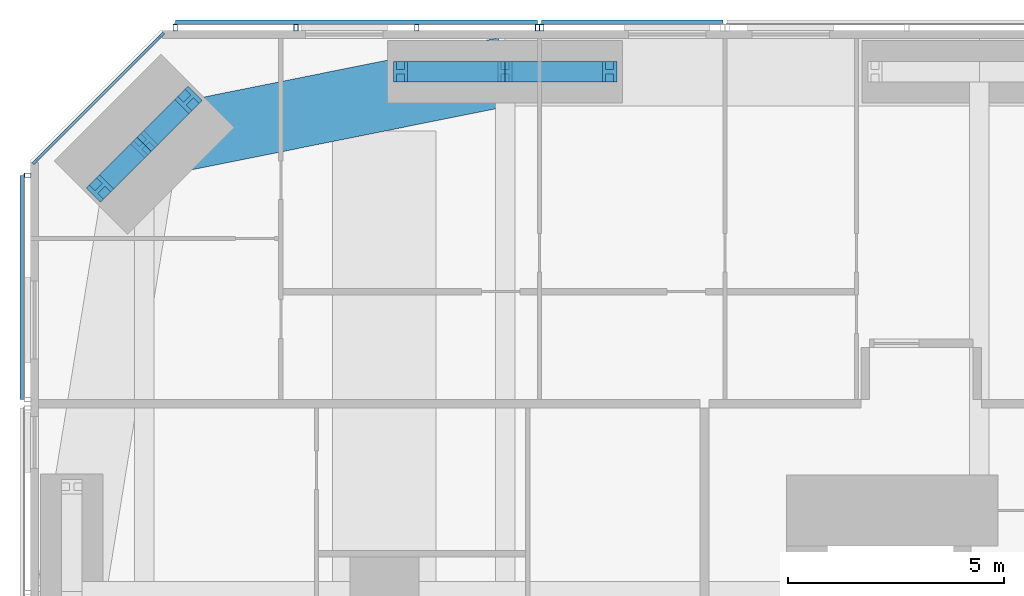
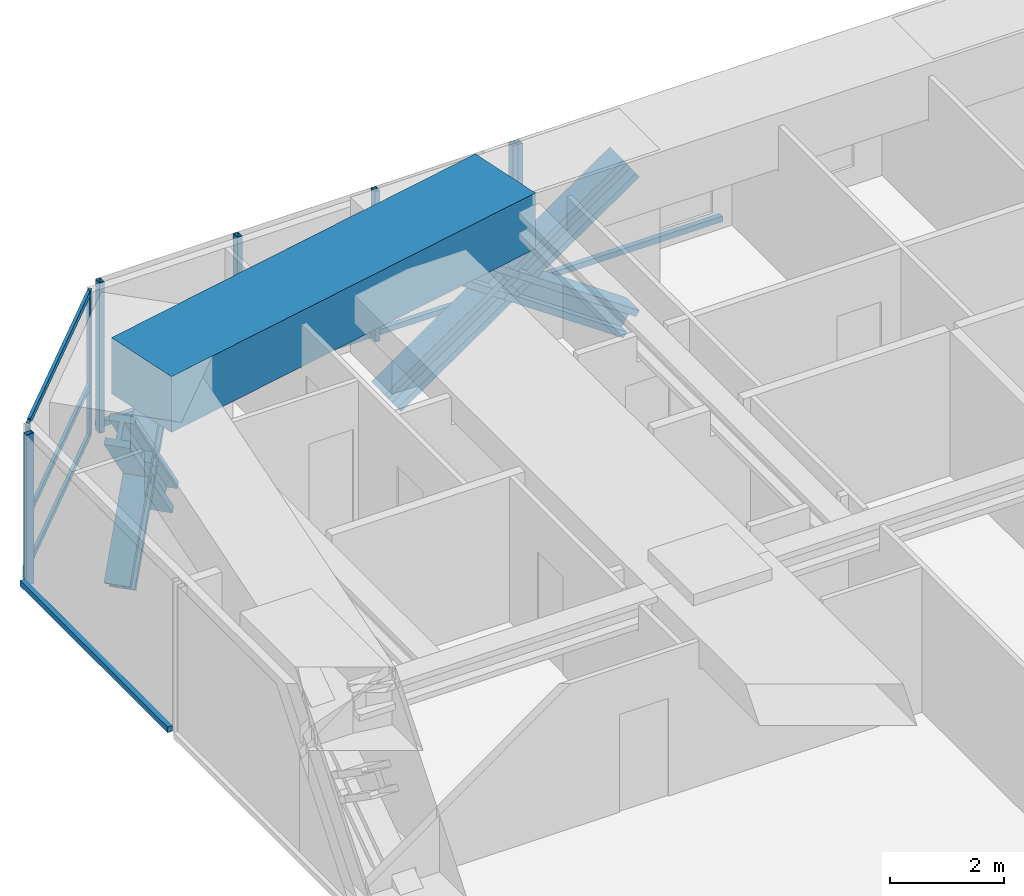
# One storey, part 11 of 23: 22 members, 1 beam, 4 elements without a shape of their own.
"""IFC4 building model written with IfcOpenShell, lengths in metres."""

from ifc_helpers import new_model, si_unit, direction, frame, origin, origin_2d, place, context, subcontext, project, spatial, rectangle, hollow_rectangle, i_section, extrude, material, material_profile, profile_set, type_object, element, aggregate, save


model = new_model("IFC4")

# Units and contexts
model_context = context("Model", 3, precision=1e-05, world=origin(), true_north=direction((0.0, 1.0)))
body_context = subcontext(model_context, "Body", "Model", "MODEL_VIEW")
ifc_project = project(units=[si_unit("LENGTHUNIT", "METRE"), si_unit("AREAUNIT", "SQUARE_METRE"), si_unit("VOLUMEUNIT", "CUBIC_METRE"), si_unit("PLANEANGLEUNIT", "RADIAN"), si_unit("MASSUNIT", "GRAM", prefix="KILO")], contexts=[model_context])

# Site, building, storey
site_placement = place(None, origin())
site = spatial("IfcSite", under=ifc_project, at=site_placement, CompositionType="ELEMENT")
building_placement = place(site_placement, origin())
building = spatial("IfcBuilding", under=site, at=building_placement, Name="Jalousie Tower", CompositionType="ELEMENT")
storey_placement = place(building_placement, frame((0.0, 0.0, 27.699951171875)))
storey = spatial("IfcBuildingStorey", under=building, at=storey_placement, Name="L06", CompositionType="ELEMENT", Elevation=27.699951171875)

# Curtain wall, members
ifc_material_1 = material(Name="Aluminium curtain wall", Category="aluminium")
curtain_wall_type_1 = type_object("IfcCurtainWallType", Name="CORNER WINDOW WALL", PredefinedType="USERDEFINED", material=ifc_material_1)
curtain_wall_1_placement = place(storey_placement, origin())
curtain_wall_1 = element("IfcCurtainWall", 1, at=curtain_wall_1_placement, inside=storey, type_object=curtain_wall_type_1, Name="Corner Window Wall L06 6", ObjectType="CORNER WINDOW WALL", PredefinedType="USERDEFINED")
ifc_material_2 = material(Name="Aluminium mullion", Category="aluminium")
ifc_material_profile_1 = material_profile(ifc_material_2, rectangle(XDim=0.06005859375, YDim=0.14990234375, at=origin_2d()), Name="MULLION 60x150")
ifc_profile_set_1 = profile_set([ifc_material_profile_1], Name="Aluminium mullion")
member_type_1 = type_object("IfcMemberType", Name="CORNER WINDOW WALL MULLION", PredefinedType="MULLION", material=ifc_profile_set_1)
member_1_placement = place(storey_placement, frame((5.030029296875, 37.891357421875, 0.0), z_axis=(0.0, 0.0, 1.0), x_axis=(0.707106781187, -0.707106781187, 0.0)))
member_1 = element("IfcMember", 2, at=member_1_placement, type_object=member_type_1, Name="CW-C mullion 1", PredefinedType="MULLION", context=body_context, shape_type="SweptSolid", body=[
    extrude(rectangle(XDim=0.06005859375, YDim=0.14990234375, at=origin_2d()), origin(), (0.0, 0.0, 1.0), 3.110107421875),
])
member_2_placement = place(storey_placement, frame((2.108642578125, 34.969970703125, 0.0), z_axis=(0.0, 0.0, 1.0), x_axis=(0.707106781187, -0.707106781187, 0.0)))
member_2 = element("IfcMember", 3, at=member_2_placement, type_object=member_type_1, Name="CW-C mullion 2", PredefinedType="MULLION", context=body_context, shape_type="SweptSolid", body=[
    extrude(rectangle(XDim=0.06005859375, YDim=0.14990234375, at=origin_2d()), origin(), (0.0, 0.0, 1.0), 3.110107421875),
])
ifc_material_3 = material(Name="Aluminium transom", Category="aluminium")
ifc_material_profile_2 = material_profile(ifc_material_3, rectangle(XDim=0.06005859375, YDim=0.1201171875, at=origin_2d()), Name="TRANSOM 60x120")
ifc_profile_set_2 = profile_set([ifc_material_profile_2], Name="Aluminium transom")
member_type_2 = type_object("IfcMemberType", Name="CORNER WINDOW WALL TRANSOM", PredefinedType="USERDEFINED", material=ifc_profile_set_2)
member_3_placement = place(storey_placement, frame((5.0087890625, 37.8701171875, 0.030029296875), z_axis=(-0.707106781187, -0.707106781187, 0.0), x_axis=(0.707106781187, -0.707106781187, 0.0)))
member_3 = element("IfcMember", 4, at=member_3_placement, type_object=member_type_2, Name="CW-C transom 1.1", ObjectType="TRANSOM", PredefinedType="USERDEFINED", context=body_context, shape_type="SweptSolid", body=[
    extrude(rectangle(XDim=0.06005859375, YDim=0.1201171875, at=origin_2d()), origin(), (0.0, 0.0, 1.0), 4.0712890625),
])
member_4_placement = place(storey_placement, frame((5.0087890625, 37.8701171875, 1.10009765625), z_axis=(-0.707106781187, -0.707106781187, 0.0), x_axis=(0.707106781187, -0.707106781187, 0.0)))
member_4 = element("IfcMember", 5, at=member_4_placement, type_object=member_type_2, Name="CW-C transom 1.2", ObjectType="TRANSOM", PredefinedType="USERDEFINED", context=body_context, shape_type="SweptSolid", body=[
    extrude(rectangle(XDim=0.06005859375, YDim=0.1201171875, at=origin_2d()), origin(), (0.0, 0.0, 1.0), 4.0712890625),
])
member_5_placement = place(storey_placement, frame((5.0087890625, 37.8701171875, 3.080078125), z_axis=(-0.707106781187, -0.707106781187, 0.0), x_axis=(0.707106781187, -0.707106781187, 0.0)))
member_5 = element("IfcMember", 6, at=member_5_placement, type_object=member_type_2, Name="CW-C transom 1.3", ObjectType="TRANSOM", PredefinedType="USERDEFINED", context=body_context, shape_type="SweptSolid", body=[
    extrude(rectangle(XDim=0.06005859375, YDim=0.1201171875, at=origin_2d()), origin(), (0.0, 0.0, 1.0), 4.0712890625),
])
aggregate(curtain_wall_1, [member_1, member_2, member_3, member_4, member_5])

# Members
ifc_material_4 = material(Name="Steel ASTM A992 Grade 50", Category="steel")
ifc_material_profile_3 = material_profile(ifc_material_4, i_section(OverallWidth=0.472412109375, OverallDepth=0.5791015625, WebThickness=0.094970703125, FlangeThickness=0.1298828125, at=origin_2d()), Name="W14X808")
ifc_profile_set_3 = profile_set([ifc_material_profile_3], Name="Steel ASTM A992 Grade 50")
member_type_3 = type_object("IfcMemberType", Name="PERIMETER BRACE W14X808", PredefinedType="BRACE", material=ifc_profile_set_3)
for number, where, z_axis, x_axis, name in (
    (7, (10.574951171875, 37.050048828125, -0.599853515625), (0.82283879777, 0.0, 0.568274856811), (0.0, 1.0, 0.0), "Perimeter brace 11 L06 part 1"),
    (8, (13.0, 37.050048828125, 1.074951171875), (0.822800062329, 0.0, 0.568330940062), (0.0, 1.0, 0.0), "Perimeter brace 11 L06 part 2"),
    (9, (15.425048828125, 37.050048828125, -0.599853515625), (-0.82283879777, 0.0, 0.568274856811), (0.0, -1.0, 0.0), "Perimeter brace 11 L06 part 3"),
    (10, (13.0, 37.050048828125, 1.074951171875), (-0.822800062329, 0.0, 0.568330940062), (0.0, -1.0, 0.0), "Perimeter brace 11 L06 part 4"),
):
    element("IfcMember", number, at=place(storey_placement, frame(where, z_axis=z_axis, x_axis=x_axis)), inside=storey, type_object=member_type_3, Name=name, PredefinedType="BRACE", context=body_context, shape_type="SweptSolid", body=[
        extrude(i_section(OverallWidth=0.472412109375, OverallDepth=0.5791015625, WebThickness=0.094970703125, FlangeThickness=0.1298828125, at=origin_2d()), origin(), (0.0, 0.0, 1.0), 2.947265625),
    ])
for number, where, z_axis, x_axis, name in (
    (11, (5.65673828125, 36.393798828125, -0.599853515625), (-0.462878559809, -0.462768350628, 0.756034981021), (0.707022586774, -0.707190965575, 0.0), "Perimeter brace 12 L06 part 1"),
    (12, (4.63134765625, 35.36865234375, 1.074951171875), (-0.462729793854, -0.462839993852, 0.756082189957), (0.707190965575, -0.707022586774, 0.0), "Perimeter brace 12 L06 part 2"),
    (13, (3.606201171875, 34.34326171875, -0.599853515625), (0.462768350628, 0.462878559809, 0.756034981021), (-0.707190965575, 0.707022586774, 0.0), "Perimeter brace 12 L06 part 3"),
    (14, (4.63134765625, 35.36865234375, 1.074951171875), (0.462839993852, 0.462729793854, 0.756082189957), (-0.707022586774, 0.707190965575, 0.0), "Perimeter brace 12 L06 part 4"),
):
    element("IfcMember", number, at=place(storey_placement, frame(where, z_axis=z_axis, x_axis=x_axis)), inside=storey, type_object=member_type_3, Name=name, PredefinedType="BRACE", context=body_context, shape_type="SweptSolid", body=[
        extrude(i_section(OverallWidth=0.472412109375, OverallDepth=0.5791015625, WebThickness=0.094970703125, FlangeThickness=0.1298828125, at=origin_2d()), origin(), (0.0, 0.0, 1.0), 2.21533203125),
    ])

# Beam
ifc_material_5 = material(Name="Concrete f'c 40 MPa", Category="concrete")
ifc_material_profile_4 = material_profile(ifc_material_5, rectangle(XDim=1.60009765625, YDim=1.199951171875, at=origin_2d()), Name="RC 1600x1200")
ifc_profile_set_4 = profile_set([ifc_material_profile_4], Name="Concrete f'c 40 MPa")
beam_type = type_object("IfcBeamType", Name="RC BEAM 1600x1200", PredefinedType="BEAM", material=ifc_profile_set_4)
beam_placement = place(storey_placement, frame((13.0, 37.050048828125, 2.75), z_axis=(-0.980407585444, -0.196979609107, 0.0), x_axis=(0.196979609107, -0.980407585444, 0.0)))
element("IfcBeam", 15, at=beam_placement, inside=storey, type_object=beam_type, Name="Edge band beam 11-12 under L07", PredefinedType="BEAM", context=body_context, shape_type="SweptSolid", body=[
    extrude(rectangle(XDim=1.60009765625, YDim=1.199951171875, at=origin_2d()), origin(), (0.0, 0.0, 1.0), 8.535888671875),
])

# Curtain wall, member
ifc_material_6 = material(Name="Perforated aluminium sheet", Category="aluminium")
curtain_wall_type_2 = type_object("IfcCurtainWallType", Name="SOLAR SCREEN SS-1", PredefinedType="USERDEFINED", material=ifc_material_6)
curtain_wall_2_placement = place(storey_placement, origin())
curtain_wall_2 = element("IfcCurtainWall", 16, at=curtain_wall_2_placement, inside=storey, type_object=curtain_wall_type_2, Name="Solar screen L06", ObjectType="SOLAR SCREEN SS-1", PredefinedType="USERDEFINED")
ifc_material_7 = material(Name="Steel ASTM A500 Grade C", Category="steel")
ifc_material_profile_5 = material_profile(ifc_material_7, hollow_rectangle(XDim=0.1015625, YDim=0.15234375, WallThickness=0.00634765625, at=origin_2d()), Name="HSS6X4X1/4")
ifc_profile_set_5 = profile_set([ifc_material_profile_5], Name="Steel ASTM A500 Grade C")
member_type_4 = type_object("IfcMemberType", Name="SOLAR SCREEN SS-1 MULLION", PredefinedType="MULLION", material=ifc_profile_set_5)
member_6_placement = place(storey_placement, frame((13.85009765625, 38.0712890625, -0.119873046875), z_axis=(0.0, 0.0, 1.0), x_axis=(-1.0, 0.0, 0.0)))
member_6 = element("IfcMember", 17, at=member_6_placement, type_object=member_type_4, Name="SS1 post 2", PredefinedType="MULLION", context=body_context, shape_type="SweptSolid", body=[
    extrude(hollow_rectangle(XDim=0.1015625, YDim=0.15234375, WallThickness=0.00634765625, at=origin_2d()), origin(), (0.0, 0.0, 1.0), 3.22998046875),
])

# Curtain wall, members
curtain_wall_3_placement = place(storey_placement, origin())
curtain_wall_3 = element("IfcCurtainWall", 18, at=curtain_wall_3_placement, inside=storey, type_object=curtain_wall_type_2, Name="Solar screen L06", ObjectType="SOLAR SCREEN SS-1", PredefinedType="USERDEFINED")
member_7_placement = place(storey_placement, frame((13.75, 38.0712890625, -0.119873046875), z_axis=(0.0, 0.0, 1.0), x_axis=(-1.0, 0.0, 0.0)))
member_7 = element("IfcMember", 19, at=member_7_placement, type_object=member_type_4, Name="SS1 post 1", PredefinedType="MULLION", context=body_context, shape_type="SweptSolid", body=[
    extrude(hollow_rectangle(XDim=0.1015625, YDim=0.15234375, WallThickness=0.00634765625, at=origin_2d()), origin(), (0.0, 0.0, 1.0), 3.22998046875),
])
member_8_placement = place(storey_placement, frame((10.950439453125, 38.0712890625, -0.119873046875), z_axis=(0.0, 0.0, 1.0), x_axis=(-1.0, 0.0, 0.0)))
member_8 = element("IfcMember", 20, at=member_8_placement, type_object=member_type_4, Name="SS1 post 2", PredefinedType="MULLION", context=body_context, shape_type="SweptSolid", body=[
    extrude(hollow_rectangle(XDim=0.1015625, YDim=0.15234375, WallThickness=0.00634765625, at=origin_2d()), origin(), (0.0, 0.0, 1.0), 3.22998046875),
])
member_9_placement = place(storey_placement, frame((8.15087890625, 38.0712890625, -0.119873046875), z_axis=(0.0, 0.0, 1.0), x_axis=(-1.0, 0.0, 0.0)))
member_9 = element("IfcMember", 21, at=member_9_placement, type_object=member_type_4, Name="SS1 post 3", PredefinedType="MULLION", context=body_context, shape_type="SweptSolid", body=[
    extrude(hollow_rectangle(XDim=0.1015625, YDim=0.15234375, WallThickness=0.00634765625, at=origin_2d()), origin(), (0.0, 0.0, 1.0), 3.22998046875),
])
member_10_placement = place(storey_placement, frame((5.351318359375, 38.0712890625, -0.119873046875), z_axis=(0.0, 0.0, 1.0), x_axis=(-1.0, 0.0, 0.0)))
member_10 = element("IfcMember", 22, at=member_10_placement, type_object=member_type_4, Name="SS1 post 4", PredefinedType="MULLION", context=body_context, shape_type="SweptSolid", body=[
    extrude(hollow_rectangle(XDim=0.1015625, YDim=0.15234375, WallThickness=0.00634765625, at=origin_2d()), origin(), (0.0, 0.0, 1.0), 3.22998046875),
])

# Curtain wall, member
curtain_wall_4_placement = place(storey_placement, origin())
curtain_wall_4 = element("IfcCurtainWall", 23, at=curtain_wall_4_placement, inside=storey, type_object=curtain_wall_type_2, Name="Solar screen L06", ObjectType="SOLAR SCREEN SS-1", PredefinedType="USERDEFINED")
member_11_placement = place(storey_placement, frame((1.9287109375, 34.648681640625, -0.119873046875), z_axis=(0.0, 0.0, 1.0), x_axis=(0.0, -1.0, 0.0)))
member_11 = element("IfcMember", 24, at=member_11_placement, type_object=member_type_4, Name="SS1 post 1", PredefinedType="MULLION", context=body_context, shape_type="SweptSolid", body=[
    extrude(hollow_rectangle(XDim=0.1015625, YDim=0.15234375, WallThickness=0.00634765625, at=origin_2d()), origin(), (0.0, 0.0, 1.0), 3.22998046875),
])

# Member
ifc_material_8 = material(Name="Extruded aluminium screen rail", Category="aluminium")
ifc_material_profile_6 = material_profile(ifc_material_8, rectangle(XDim=0.1015625, YDim=0.1201171875, at=origin_2d()), Name="RAIL 102x120")
ifc_profile_set_6 = profile_set([ifc_material_profile_6], Name="Extruded aluminium screen rail")
member_type_5 = type_object("IfcMemberType", Name="SOLAR SCREEN SS-1 TRANSOM", PredefinedType="USERDEFINED", material=ifc_profile_set_6)
member_12_placement = place(storey_placement, frame((18.050048828125, 38.1982421875, -0.06005859375), z_axis=(-1.0, 0.0, 0.0), x_axis=(0.0, -1.0, 0.0)))
member_12 = element("IfcMember", 25, at=member_12_placement, type_object=member_type_5, Name="SS1 rail", ObjectType="TRANSOM", PredefinedType="USERDEFINED", context=body_context, shape_type="SweptSolid", body=[
    extrude(rectangle(XDim=0.1015625, YDim=0.1201171875, at=origin_2d()), origin(), (0.0, 0.0, 1.0), 4.199951171875),
])

aggregate(curtain_wall_2, [member_6, member_12])

member_13_placement = place(storey_placement, frame((13.75, 38.1982421875, -0.06005859375), z_axis=(-1.0, 0.0, 0.0), x_axis=(0.0, -1.0, 0.0)))
member_13 = element("IfcMember", 26, at=member_13_placement, type_object=member_type_5, Name="SS1 rail", ObjectType="TRANSOM", PredefinedType="USERDEFINED", context=body_context, shape_type="SweptSolid", body=[
    extrude(rectangle(XDim=0.1015625, YDim=0.1201171875, at=origin_2d()), origin(), (0.0, 0.0, 1.0), 8.398681640625),
])

aggregate(curtain_wall_3, [member_7, member_8, member_9, member_10, member_13])

member_14_placement = place(storey_placement, frame((1.8017578125, 34.648681640625, -0.06005859375), z_axis=(0.0, -1.0, 0.0), x_axis=(1.0, 0.0, 0.0)))
member_14 = element("IfcMember", 27, at=member_14_placement, type_object=member_type_5, Name="SS1 rail", ObjectType="TRANSOM", PredefinedType="USERDEFINED", context=body_context, shape_type="SweptSolid", body=[
    extrude(rectangle(XDim=0.1015625, YDim=0.1201171875, at=origin_2d()), origin(), (0.0, 0.0, 1.0), 5.19873046875),
])

aggregate(curtain_wall_4, [member_11, member_14])

save(model, "model.ifc")
